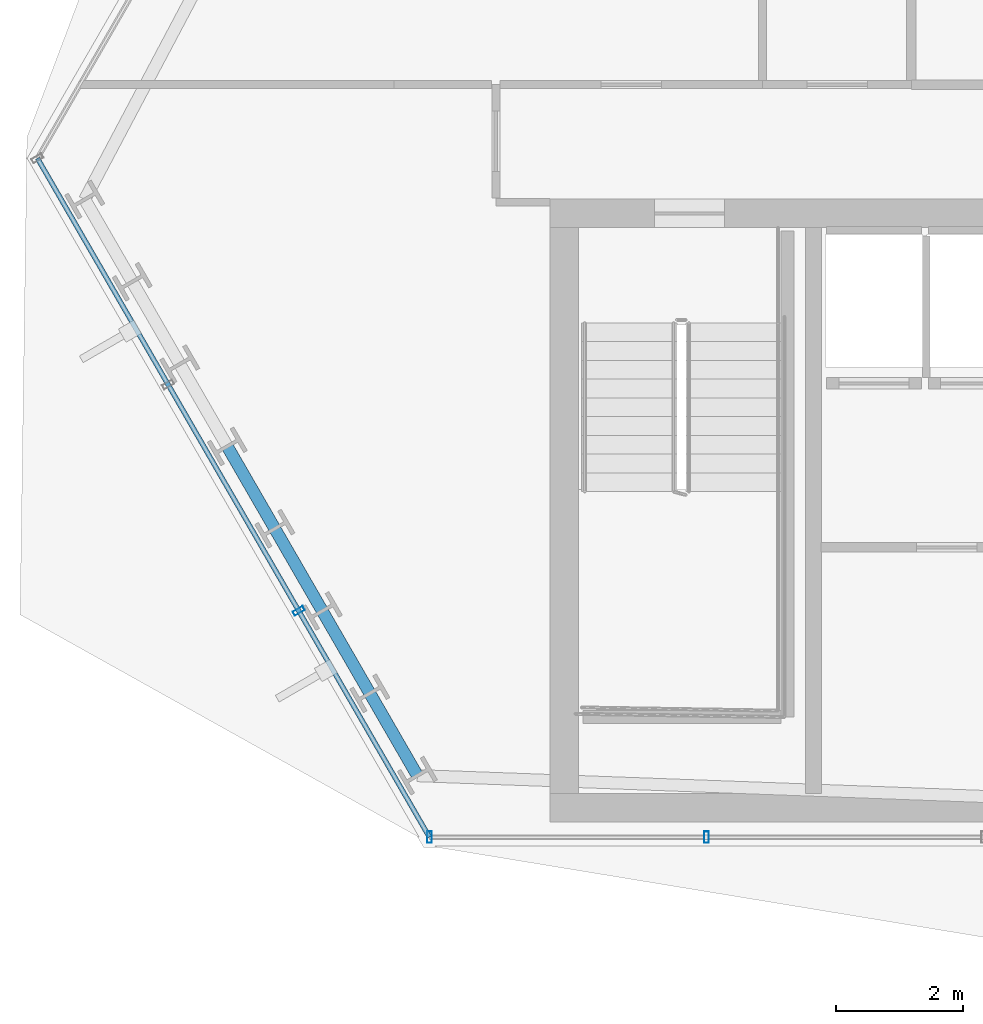
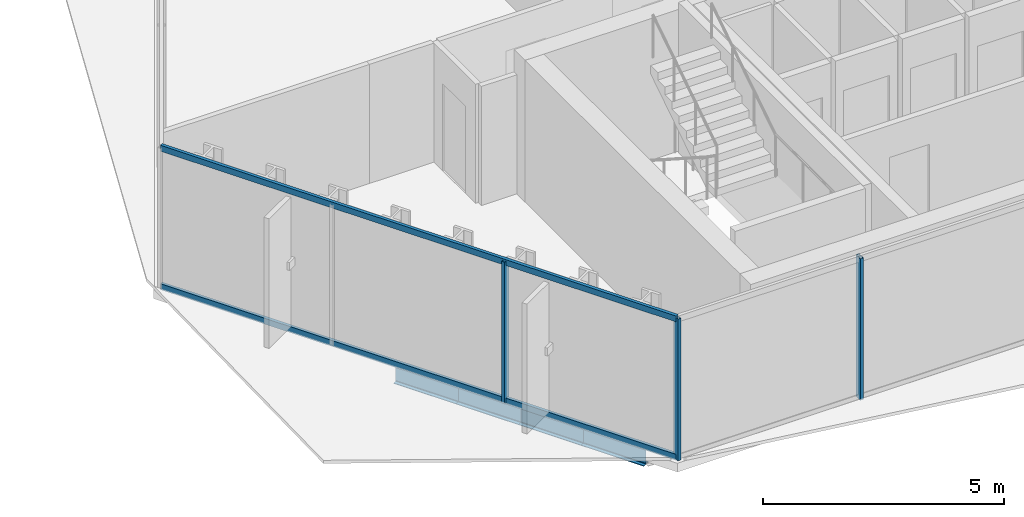
# One storey, part 2 of 36: 5 members, 4 beams, 2 elements without a shape of their own.
"""IFC4 building model written with IfcOpenShell, lengths in metres."""

from ifc_helpers import new_model, si_unit, direction, frame, origin, origin_2d, place, context, subcontext, project, spatial, hollow_rectangle, i_section, extrude, material, layer, layer_set, material_profile, profile_set, type_object, element, aggregate, save


model = new_model("IFC4")

# Units and contexts
model_context = context("Model", 3, precision=1e-05, world=origin(), true_north=direction((0.0, 1.0)))
body_context = subcontext(model_context, "Body", "Model", "MODEL_VIEW")
ifc_project = project(units=[si_unit("LENGTHUNIT", "METRE"), si_unit("AREAUNIT", "SQUARE_METRE"), si_unit("VOLUMEUNIT", "CUBIC_METRE"), si_unit("PLANEANGLEUNIT", "RADIAN"), si_unit("MASSUNIT", "GRAM", prefix="KILO")], contexts=[model_context])

# Site, building, storey
site_placement = place(None, origin())
site = spatial("IfcSite", under=ifc_project, at=site_placement, CompositionType="ELEMENT")
building_placement = place(site_placement, origin())
building = spatial("IfcBuilding", under=site, at=building_placement, Name="Ndaravel Arena Tower", CompositionType="ELEMENT")
storey_placement = place(building_placement, frame((0.0, 0.0, 127.0)))
storey = spatial("IfcBuildingStorey", under=building, at=storey_placement, Name="L29", CompositionType="ELEMENT", Elevation=127.0)

# Beams
ifc_material_1 = material(Name="Steel S355", Category="steel")
ifc_material_profile_1 = material_profile(ifc_material_1, i_section(OverallWidth=0.18994140625, OverallDepth=0.449951171875, WebThickness=0.009521484375, FlangeThickness=0.0146484375, FilletRadius=0.02099609375, at=origin_2d()), Name="IPE 450")
ifc_profile_set_1 = profile_set([ifc_material_profile_1], Name="Steel S355")
beam_type = type_object("IfcBeamType", Name="BM-SPAN-IPE450", PredefinedType="SPANDREL", material=ifc_profile_set_1)
for number, where, z_axis, x_axis, name in (
    (1, (21.375244140625, 11.30810546875, -0.445068359375), (0.500019200167, -0.866014318279, 0.0), (0.866014318279, 0.500019200167, 0.0), "L29 Perimeter Spandrel Beam SP-23"),
    (2, (22.123046875, 10.012939453125, -0.445068359375), (0.500019200167, -0.866014318279, 0.0), (0.866014318279, 0.500019200167, 0.0), "L29 Perimeter Spandrel Beam SP-24"),
):
    element("IfcBeam", number, at=place(storey_placement, frame(where, z_axis=z_axis, x_axis=x_axis)), inside=storey, type_object=beam_type, Name=name, PredefinedType="SPANDREL", context=body_context, shape_type="SweptSolid", body=[
        extrude(i_section(OverallWidth=0.18994140625, OverallDepth=0.449951171875, WebThickness=0.009521484375, FlangeThickness=0.0146484375, FilletRadius=0.02099609375, at=origin_2d()), origin(), (0.0, 0.0, 1.0), 1.49560546875),
    ])
for number, where, z_axis, x_axis, name in (
    (3, (22.870849609375, 8.7177734375, -0.445068359375), (0.499896754619, -0.866085004328, 0.0), (0.866085004328, 0.499896754619, 0.0), "L29 Perimeter Spandrel Beam SP-25"),
    (4, (23.618408203125, 7.422607421875, -0.445068359375), (0.500089897431, -0.865973495257, 0.0), (0.865973495257, 0.500089897431, 0.0), "L29 Perimeter Spandrel Beam SP-26"),
):
    element("IfcBeam", number, at=place(storey_placement, frame(where, z_axis=z_axis, x_axis=x_axis)), inside=storey, type_object=beam_type, Name=name, PredefinedType="SPANDREL", context=body_context, shape_type="SweptSolid", body=[
        extrude(i_section(OverallWidth=0.18994140625, OverallDepth=0.449951171875, WebThickness=0.009521484375, FlangeThickness=0.0146484375, FilletRadius=0.02099609375, at=origin_2d()), origin(), (0.0, 0.0, 1.0), 1.495361328125),
    ])

# Curtain wall, members
ifc_material_2 = material(Name="Aluminium", Category="aluminium")
ifc_layer_1 = layer(ifc_material_2, 0.179931640625)
ifc_layer_set_1 = layer_set([ifc_layer_1], Name="Aluminium")
curtain_wall_type_1 = type_object("IfcCurtainWallType", Name="CW-SYS-03", PredefinedType="NOTDEFINED", material=ifc_layer_set_1)
curtain_wall_1_placement = place(storey_placement, origin())
curtain_wall_1 = element("IfcCurtainWall", 5, at=curtain_wall_1_placement, inside=storey, type_object=curtain_wall_type_1, Name="L29 Faceted Crystal Curtain Wall CW-L29-E01", PredefinedType="NOTDEFINED")
ifc_material_3 = material(Name="Aluminium", Category="aluminium")
ifc_material_profile_2 = material_profile(ifc_material_3, hollow_rectangle(XDim=0.074951171875, YDim=0.179931640625, WallThickness=0.00390625, at=origin_2d()), Name="CW MULLION 75x180x4")
ifc_profile_set_2 = profile_set([ifc_material_profile_2], Name="Aluminium")
member_type_1 = type_object("IfcMemberType", Name="MEM-CW-MUL180", PredefinedType="MULLION", material=ifc_profile_set_2)
member_1_placement = place(storey_placement, frame((24.555419921875, 5.159912109375, 0.0), z_axis=(0.0, 0.0, 1.0), x_axis=(1.0, 0.0, 0.0)))
member_1 = element("IfcMember", 6, at=member_1_placement, type_object=member_type_1, Name="CW-L29-E01 Mullion 00", PredefinedType="MULLION", context=body_context, shape_type="SweptSolid", body=[
    extrude(hollow_rectangle(XDim=0.074951171875, YDim=0.179931640625, WallThickness=0.00390625, at=origin_2d()), origin(), (0.0, 0.0, 1.0), 3.580078125),
])
member_2_placement = place(storey_placement, frame((28.91650390625, 5.159912109375, 0.0), z_axis=(0.0, 0.0, 1.0), x_axis=(1.0, 0.0, 0.0)))
member_2 = element("IfcMember", 7, at=member_2_placement, type_object=member_type_1, Name="CW-L29-E01 Mullion 01", PredefinedType="MULLION", context=body_context, shape_type="SweptSolid", body=[
    extrude(hollow_rectangle(XDim=0.074951171875, YDim=0.179931640625, WallThickness=0.00390625, at=origin_2d()), origin(), (0.0, 0.0, 1.0), 3.580078125),
])
aggregate(curtain_wall_1, [member_1, member_2])

ifc_material_4 = material(Name="Aluminium", Category="aluminium")
ifc_layer_2 = layer(ifc_material_4, 0.179931640625)
ifc_layer_set_2 = layer_set([ifc_layer_2], Name="Aluminium")
curtain_wall_type_2 = type_object("IfcCurtainWallType", Name="CW-SYS-02", PredefinedType="NOTDEFINED", material=ifc_layer_set_2)
curtain_wall_2_placement = place(storey_placement, origin())
curtain_wall_2 = element("IfcCurtainWall", 8, at=curtain_wall_2_placement, inside=storey, type_object=curtain_wall_type_2, Name="L29 Faceted Crystal Curtain Wall CW-L29-E06", PredefinedType="NOTDEFINED")
member_3_placement = place(storey_placement, frame((22.499755859375, 8.720458984375, 0.0), z_axis=(0.0, 0.0, 1.0), x_axis=(0.5, -0.866025403784, 0.0)))
member_3 = element("IfcMember", 9, at=member_3_placement, type_object=member_type_1, Name="CW-L29-E06 Mullion 02", PredefinedType="MULLION", context=body_context, shape_type="SweptSolid", body=[
    extrude(hollow_rectangle(XDim=0.074951171875, YDim=0.179931640625, WallThickness=0.00390625, at=origin_2d()), origin(), (0.0, 0.0, 1.0), 3.580078125),
])
ifc_material_5 = material(Name="Aluminium", Category="aluminium")
ifc_material_profile_3 = material_profile(ifc_material_5, hollow_rectangle(XDim=0.074951171875, YDim=0.14990234375, WallThickness=0.00390625, at=origin_2d()), Name="CW TRANSOM 75x150x4")
ifc_profile_set_3 = profile_set([ifc_material_profile_3], Name="Aluminium")
member_type_2 = type_object("IfcMemberType", Name="MEM-CW-TRN150", PredefinedType="USERDEFINED", material=ifc_profile_set_3)
member_4_placement = place(storey_placement, frame((18.388671875, 15.841064453125, 0.0400390625), z_axis=(0.499998897271, -0.866026040445, 0.0), x_axis=(0.866026040445, 0.499998897271, 0.0)))
member_4 = element("IfcMember", 10, at=member_4_placement, type_object=member_type_2, Name="CW-L29-E06 Transom 01", ObjectType="TRANSOM", PredefinedType="USERDEFINED", context=body_context, shape_type="SweptSolid", body=[
    extrude(hollow_rectangle(XDim=0.074951171875, YDim=0.14990234375, WallThickness=0.00390625, at=origin_2d()), origin(), (0.0, 0.0, 1.0), 12.33349609375),
])
member_5_placement = place(storey_placement, frame((18.388671875, 15.841064453125, 3.5400390625), z_axis=(0.499998897271, -0.866026040445, 0.0), x_axis=(0.866026040445, 0.499998897271, 0.0)))
member_5 = element("IfcMember", 11, at=member_5_placement, type_object=member_type_2, Name="CW-L29-E06 Transom 02", ObjectType="TRANSOM", PredefinedType="USERDEFINED", context=body_context, shape_type="SweptSolid", body=[
    extrude(hollow_rectangle(XDim=0.074951171875, YDim=0.14990234375, WallThickness=0.00390625, at=origin_2d()), origin(), (0.0, 0.0, 1.0), 12.33349609375),
])
aggregate(curtain_wall_2, [member_3, member_4, member_5])

save(model, "model.ifc")
